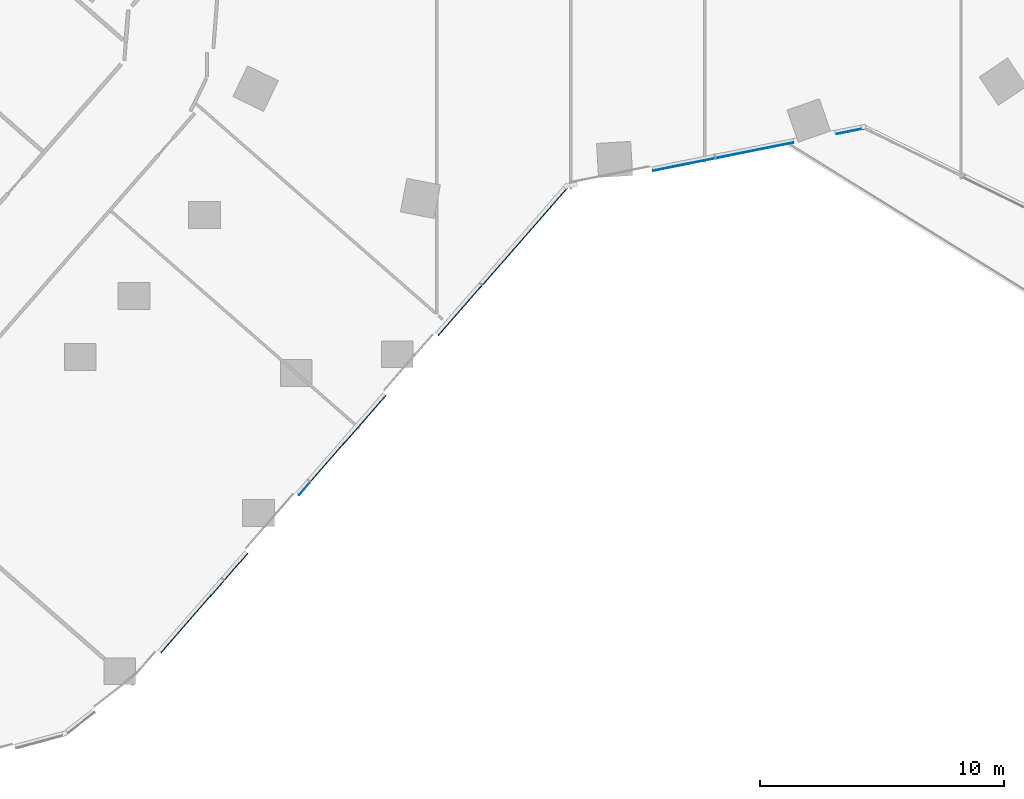
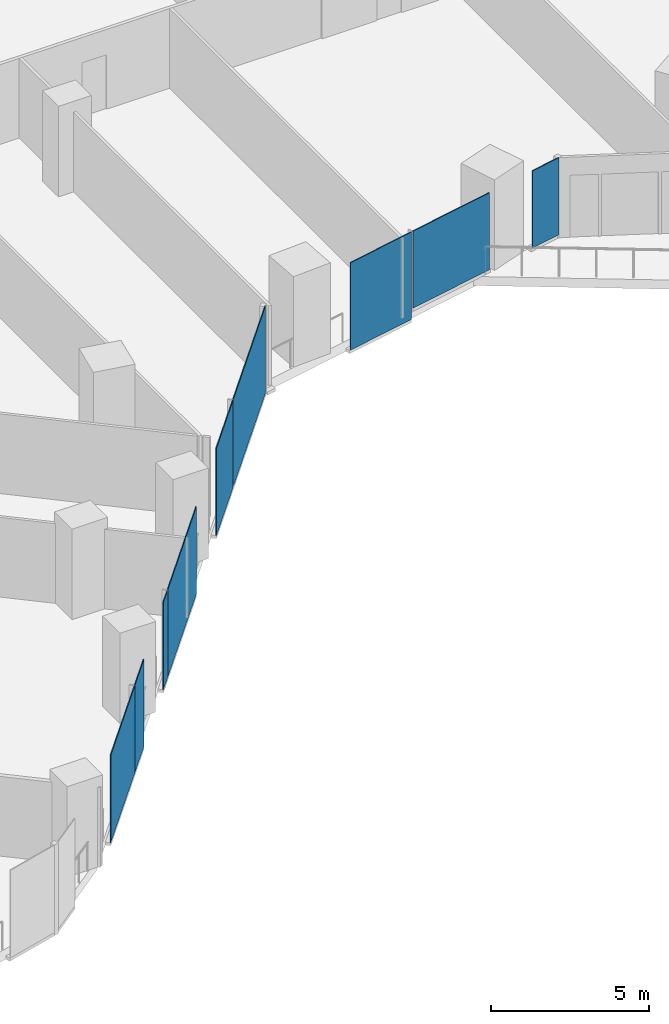
# One storey, part 17 of 32: 9 plates, 2 elements without a shape of their own.
"""IFC4 building model written with IfcOpenShell, lengths in metres."""

from ifc_helpers import new_model, si_unit, direction, frame, origin, origin_2d, place, context, subcontext, project, spatial, rectangle, extrude, material, layer, layer_set, type_object, element, aggregate, save


model = new_model("IFC4")

# Units and contexts
model_context = context("Model", 3, precision=1e-05, world=origin(), true_north=direction((0.0, 1.0)))
body_context = subcontext(model_context, "Body", "Model", "MODEL_VIEW")
ifc_project = project(units=[si_unit("LENGTHUNIT", "METRE"), si_unit("AREAUNIT", "SQUARE_METRE"), si_unit("VOLUMEUNIT", "CUBIC_METRE"), si_unit("PLANEANGLEUNIT", "RADIAN"), si_unit("MASSUNIT", "GRAM", prefix="KILO")], contexts=[model_context])

# Site, building, storey
site_placement = place(None, origin())
site = spatial("IfcSite", under=ifc_project, at=site_placement, CompositionType="ELEMENT")
building_placement = place(site_placement, origin())
building = spatial("IfcBuilding", under=site, at=building_placement, Name="Orlundy Tower", CompositionType="ELEMENT")
storey_placement = place(building_placement, frame((0.0, 0.0, 58.800048828125)))
storey = spatial("IfcBuildingStorey", under=building, at=storey_placement, Name="L13", CompositionType="ELEMENT", Elevation=58.800048828125)

# Curtain wall, plates
ifc_material_1 = material(Name="Aluminium bronze anodised", Category="aluminium")
curtain_wall_type = type_object("IfcCurtainWallType", Name="CW1 wall", PredefinedType="NOTDEFINED", material=ifc_material_1)
curtain_wall_1_placement = place(storey_placement, origin())
curtain_wall_1 = element("IfcCurtainWall", 1, at=curtain_wall_1_placement, inside=storey, type_object=curtain_wall_type, Name="CW1 run 01", PredefinedType="NOTDEFINED")
ifc_material_2 = material(Name="Tinted glass", Category="glass")
ifc_layer = layer(ifc_material_2, 0.031982421875)
ifc_layer_set = layer_set([ifc_layer], Name="CW1 glass panel 32")
plate_type = type_object("IfcPlateType", Name="CW1 glass panel 32", PredefinedType="CURTAIN_PANEL", material=ifc_layer_set)
plate_1_placement = place(storey_placement, frame((11.448486328125, -28.46923828125, 0.119873046875), z_axis=(0.0, 0.0, 1.0), x_axis=(-0.980497420907, -0.196531950572, 0.0)))
plate_1 = element("IfcPlate", 2, at=plate_1_placement, type_object=plate_type, Name="CW1 panel", PredefinedType="CURTAIN_PANEL", context=body_context, shape_type="SweptSolid", body=[
    extrude(rectangle(XDim=1.114013671875, YDim=0.031982421875, at=origin_2d()), origin(), (0.0, 0.0, 1.0), 2.97998046875),
])
plate_2_placement = place(storey_placement, frame((7.536376953125, -29.25341796875, 0.119873046875), z_axis=(0.0, 0.0, 1.0), x_axis=(-0.980497420907, -0.196531950572, 0.0)))
plate_2 = element("IfcPlate", 3, at=plate_2_placement, type_object=plate_type, Name="CW1 panel", PredefinedType="CURTAIN_PANEL", context=body_context, shape_type="SweptSolid", body=[
    extrude(rectangle(XDim=3.2314453125, YDim=0.031982421875, at=origin_2d()), origin(), (0.0, 0.0, 1.0), 2.97998046875),
])
plate_3_placement = place(storey_placement, frame((4.640625, -29.833740234375, -0.280029296875), z_axis=(0.0, 0.0, 1.0), x_axis=(-0.980497420907, -0.196531950572, 0.0)))
plate_3 = element("IfcPlate", 4, at=plate_3_placement, type_object=plate_type, Name="CW1 panel", PredefinedType="CURTAIN_PANEL", context=body_context, shape_type="SweptSolid", body=[
    extrude(rectangle(XDim=2.57568359375, YDim=0.031982421875, at=origin_2d()), origin(), (0.0, 0.0, 1.0), 3.3798828125),
])
aggregate(curtain_wall_1, [plate_1, plate_2, plate_3])

curtain_wall_2_placement = place(storey_placement, origin())
curtain_wall_2 = element("IfcCurtainWall", 5, at=curtain_wall_2_placement, inside=storey, type_object=curtain_wall_type, Name="CW1 run 02", PredefinedType="NOTDEFINED")
plate_4_placement = place(storey_placement, frame((-1.875732421875, -32.77783203125, -0.280029296875), z_axis=(0.0, 0.0, 1.0), x_axis=(-0.658258754452, -0.752791745563, 0.0)))
plate_4 = element("IfcPlate", 6, at=plate_4_placement, type_object=plate_type, Name="CW1 panel", PredefinedType="CURTAIN_PANEL", context=body_context, shape_type="SweptSolid", body=[
    extrude(rectangle(XDim=5.276123046875, YDim=0.031982421875, at=origin_2d()), origin(), (0.0, 0.0, 1.0), 3.3798828125),
])
plate_5_placement = place(storey_placement, frame((-4.537841796875, -35.822265625, -0.280029296875), z_axis=(0.0, 0.0, 1.0), x_axis=(-0.658258754452, -0.752791745563, 0.0)))
plate_5 = element("IfcPlate", 7, at=plate_5_placement, type_object=plate_type, Name="CW1 panel", PredefinedType="CURTAIN_PANEL", context=body_context, shape_type="SweptSolid", body=[
    extrude(rectangle(XDim=2.712158203125, YDim=0.031982421875, at=origin_2d()), origin(), (0.0, 0.0, 1.0), 3.3798828125),
])
plate_6_placement = place(storey_placement, frame((-9.12158203125, -41.064208984375, -0.280029296875), z_axis=(0.0, 0.0, 1.0), x_axis=(-0.658258754452, -0.752791745563, 0.0)))
plate_6 = element("IfcPlate", 8, at=plate_6_placement, type_object=plate_type, Name="CW1 panel", PredefinedType="CURTAIN_PANEL", context=body_context, shape_type="SweptSolid", body=[
    extrude(rectangle(XDim=4.6884765625, YDim=0.031982421875, at=origin_2d()), origin(), (0.0, 0.0, 1.0), 3.3798828125),
])
plate_7_placement = place(storey_placement, frame((-10.917724609375, -43.1181640625, -0.280029296875), z_axis=(0.0, 0.0, 1.0), x_axis=(-0.658258754452, -0.752791745563, 0.0)))
plate_7 = element("IfcPlate", 9, at=plate_7_placement, type_object=plate_type, Name="CW1 panel", PredefinedType="CURTAIN_PANEL", context=body_context, shape_type="SweptSolid", body=[
    extrude(rectangle(XDim=0.668701171875, YDim=0.031982421875, at=origin_2d()), origin(), (0.0, 0.0, 1.0), 3.3798828125),
])
plate_8_placement = place(storey_placement, frame((-13.716064453125, -46.318359375, -0.280029296875), z_axis=(0.0, 0.0, 1.0), x_axis=(-0.658258754452, -0.752791745563, 0.0)))
plate_8 = element("IfcPlate", 10, at=plate_8_placement, type_object=plate_type, Name="CW1 panel", PredefinedType="CURTAIN_PANEL", context=body_context, shape_type="SweptSolid", body=[
    extrude(rectangle(XDim=1.443115234375, YDim=0.031982421875, at=origin_2d()), origin(), (0.0, 0.0, 1.0), 3.3798828125),
])
plate_9_placement = place(storey_placement, frame((-15.513916015625, -48.374755859375, -0.280029296875), z_axis=(0.0, 0.0, 1.0), x_axis=(-0.658258754452, -0.752791745563, 0.0)))
plate_9 = element("IfcPlate", 11, at=plate_9_placement, type_object=plate_type, Name="CW1 panel", PredefinedType="CURTAIN_PANEL", context=body_context, shape_type="SweptSolid", body=[
    extrude(rectangle(XDim=3.919921875, YDim=0.031982421875, at=origin_2d()), origin(), (0.0, 0.0, 1.0), 3.3798828125),
])
aggregate(curtain_wall_2, [plate_4, plate_5, plate_6, plate_7, plate_8, plate_9])

save(model, "model.ifc")
